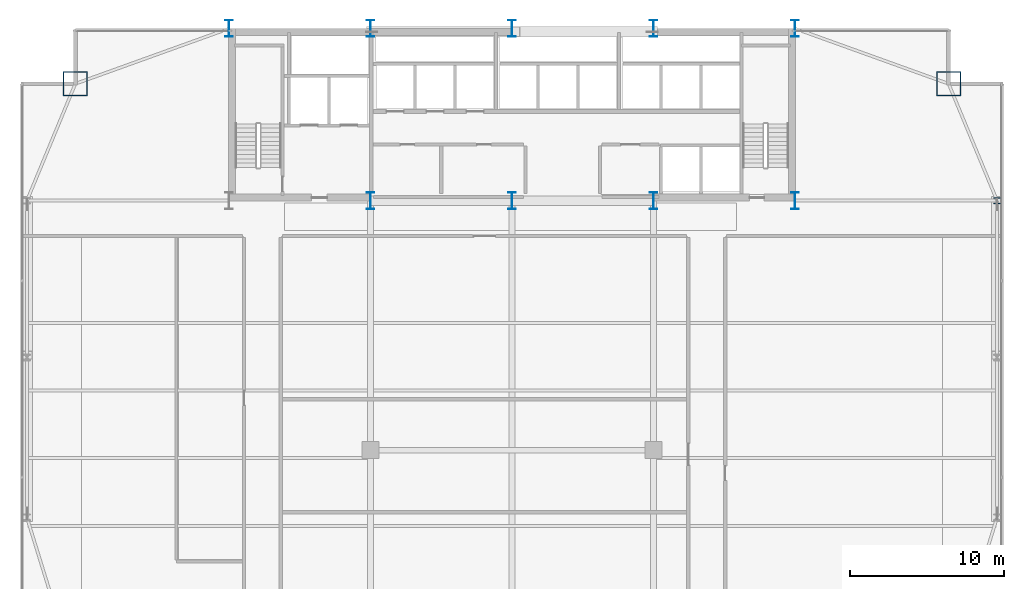
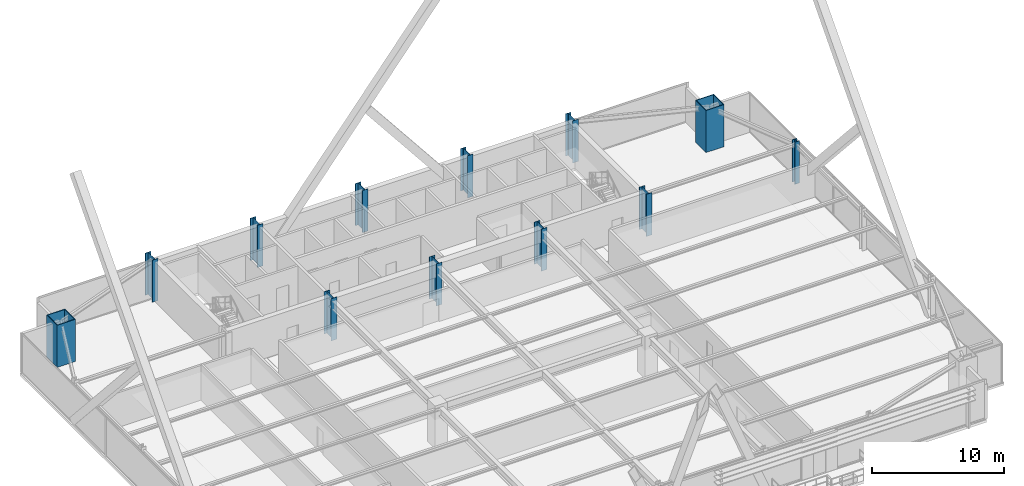
# One storey, part 2 of 32: 12 columns.
"""IFC4 building model written with IfcOpenShell, lengths in metres."""

from ifc_helpers import new_model, si_unit, direction, frame, origin, origin_2d, place, context, subcontext, project, spatial, hollow_rectangle, i_section, extrude, source, transform, mapped, material, material_profile, profile_set, type_object, type_shapes, element, save


model = new_model("IFC4")

# Units and contexts
model_context = context("Model", 3, precision=1e-05, world=origin(), true_north=direction((0.0, 1.0)))
body_context = subcontext(model_context, "Body", "Model", "MODEL_VIEW")
ifc_project = project(units=[si_unit("LENGTHUNIT", "METRE"), si_unit("AREAUNIT", "SQUARE_METRE"), si_unit("VOLUMEUNIT", "CUBIC_METRE"), si_unit("PLANEANGLEUNIT", "RADIAN"), si_unit("MASSUNIT", "GRAM", prefix="KILO")], contexts=[model_context])

# Site, building, storey
site_placement = place(None, origin())
site = spatial("IfcSite", under=ifc_project, at=site_placement, CompositionType="ELEMENT")
building_placement = place(site_placement, origin())
building = spatial("IfcBuilding", under=site, at=building_placement, Name="Varnel Quay Broadcast Tower", CompositionType="ELEMENT")
storey_placement = place(building_placement, frame((0.0, 0.0, 58.800048828125)))
storey = spatial("IfcBuildingStorey", under=building, at=storey_placement, Name="L13", CompositionType="ELEMENT", Elevation=58.800048828125)

# Columns
ifc_material_1 = material(Name="Structural Steel CSA G40.21 350WT", Category="steel")
ifc_material_profile_1 = material_profile(ifc_material_1, i_section(OverallWidth=0.5, OverallDepth=1.10009765625, WebThickness=0.01806640625, FlangeThickness=0.031982421875, FilletRadius=0.01806640625, at=origin_2d()), Name="WWF1100X418")
ifc_profile_set_1 = profile_set([ifc_material_profile_1], Name="Structural Steel CSA G40.21 350WT")
column_type_1 = type_object("IfcColumnType", Name="Col_WWF1100X418", PredefinedType="COLUMN", material=ifc_profile_set_1)
shared_shape_1 = source(origin(), body_context, "Body", "SweptSolid", [
    extrude(i_section(OverallWidth=0.5, OverallDepth=1.10009765625, WebThickness=0.01806640625, FlangeThickness=0.031982421875, FilletRadius=0.01806640625, at=origin_2d()), origin(), (0.0, 0.0, 1.0), 3.89990234375),
])
type_shapes(column_type_1, [shared_shape_1])
for number, where, z_axis, x_axis, name in (
    (1, (15.60009765625, 46.800048828125, 0.0), (0.0, 0.0, 1.0), (1.0, 0.0, 0.0), "L13 Column CC-N1"),
    (2, (24.800048828125, 35.60009765625, 0.0), (0.0, 0.0, 1.0), (1.0, 0.0, 0.0), "L13 Column CC-S2"),
    (3, (24.800048828125, 46.800048828125, 0.0), (0.0, 0.0, 1.0), (1.0, 0.0, 0.0), "L13 Column CC-N2"),
    (4, (34.0, 35.60009765625, 0.0), (0.0, 0.0, 1.0), (1.0, 0.0, 0.0), "L13 Column CC-S3"),
    (5, (34.0, 46.800048828125, 0.0), (0.0, 0.0, 1.0), (1.0, 0.0, 0.0), "L13 Column CC-N3"),
    (6, (43.199951171875, 35.60009765625, 0.0), (0.0, 0.0, 1.0), (1.0, 0.0, 0.0), "L13 Column CC-S4"),
    (7, (43.199951171875, 46.800048828125, 0.0), (0.0, 0.0, 1.0), (1.0, 0.0, 0.0), "L13 Column CC-N4"),
    (8, (52.39990234375, 35.60009765625, 0.0), (0.0, 0.0, 1.0), (1.0, 0.0, 0.0), "L13 Column CC-S5"),
    (9, (52.39990234375, 46.800048828125, 0.0), (0.0, 0.0, 1.0), (1.0, 0.0, 0.0), "L13 Column CC-N5"),
):
    element("IfcColumn", number, at=place(storey_placement, frame(where, z_axis=z_axis, x_axis=x_axis)), inside=storey, type_object=column_type_1, Name=name, PredefinedType="COLUMN", context=body_context, shape_type="MappedRepresentation", body=[
        mapped(shared_shape_1, transform((0.0, 0.0, 0.0), x_axis=(1.0, 0.0, 0.0), y_axis=(0.0, 1.0, 0.0), z_axis=(0.0, 0.0, 1.0), scale=1.0)),
    ])
ifc_material_profile_2 = material_profile(ifc_material_1, hollow_rectangle(XDim=1.60009765625, YDim=1.60009765625, WallThickness=0.06005859375, at=origin_2d()), Name="BOX1600X1600X60")
ifc_profile_set_2 = profile_set([ifc_material_profile_2], Name="Structural Steel CSA G40.21 350WT")
column_type_2 = type_object("IfcColumnType", Name="Col_BOX1600X1600X60", PredefinedType="COLUMN", material=ifc_profile_set_2)
shared_shape_2 = source(origin(), body_context, "Body", "SweptSolid", [
    extrude(hollow_rectangle(XDim=1.60009765625, YDim=1.60009765625, WallThickness=0.06005859375, at=origin_2d()), origin(), (0.0, 0.0, 1.0), 3.89990234375),
])
type_shapes(column_type_2, [shared_shape_2])
for number, where, z_axis, x_axis, name in (
    (10, (62.39990234375, 43.199951171875, 0.0), (0.0, 0.0, 1.0), (1.0, 0.0, 0.0), "L13 Column MC-NE"),
    (11, (5.60009765625, 43.199951171875, 0.0), (0.0, 0.0, 1.0), (1.0, 0.0, 0.0), "L13 Column MC-NW"),
):
    element("IfcColumn", number, at=place(storey_placement, frame(where, z_axis=z_axis, x_axis=x_axis)), inside=storey, type_object=column_type_2, Name=name, PredefinedType="COLUMN", context=body_context, shape_type="MappedRepresentation", body=[
        mapped(shared_shape_2, transform((0.0, 0.0, 0.0), x_axis=(1.0, 0.0, 0.0), y_axis=(0.0, 1.0, 0.0), z_axis=(0.0, 0.0, 1.0), scale=1.0)),
    ])
ifc_material_2 = material(Name="Structural Steel CSA G40.21 350W", Category="steel")
ifc_material_profile_3 = material_profile(ifc_material_2, i_section(OverallWidth=0.404052734375, OverallDepth=0.406982421875, WebThickness=0.027099609375, FlangeThickness=0.043701171875, FilletRadius=0.01806640625, at=origin_2d()), Name="W360X347")
ifc_profile_set_3 = profile_set([ifc_material_profile_3], Name="Structural Steel CSA G40.21 350W")
column_type_3 = type_object("IfcColumnType", Name="Col_W360X347", PredefinedType="COLUMN", material=ifc_profile_set_3)
shared_shape_3 = source(origin(), body_context, "Body", "SweptSolid", [
    extrude(i_section(OverallWidth=0.404052734375, OverallDepth=0.406982421875, WebThickness=0.027099609375, FlangeThickness=0.043701171875, FilletRadius=0.01806640625, at=origin_2d()), origin(), (0.0, 0.0, 1.0), 3.89990234375),
])
type_shapes(column_type_3, [shared_shape_3])
column_placement = place(storey_placement, frame((65.550048828125, 35.60009765625, 0.0), z_axis=(0.0, 0.0, 1.0), x_axis=(1.0, 0.0, 0.0)))
element("IfcColumn", 12, at=column_placement, inside=storey, type_object=column_type_3, Name="L13 Column TC-E3", PredefinedType="COLUMN", context=body_context, shape_type="MappedRepresentation", body=[
    mapped(shared_shape_3, transform((0.0, 0.0, 0.0), x_axis=(1.0, 0.0, 0.0), y_axis=(0.0, 1.0, 0.0), z_axis=(0.0, 0.0, 1.0), scale=1.0)),
])

save(model, "model.ifc")
